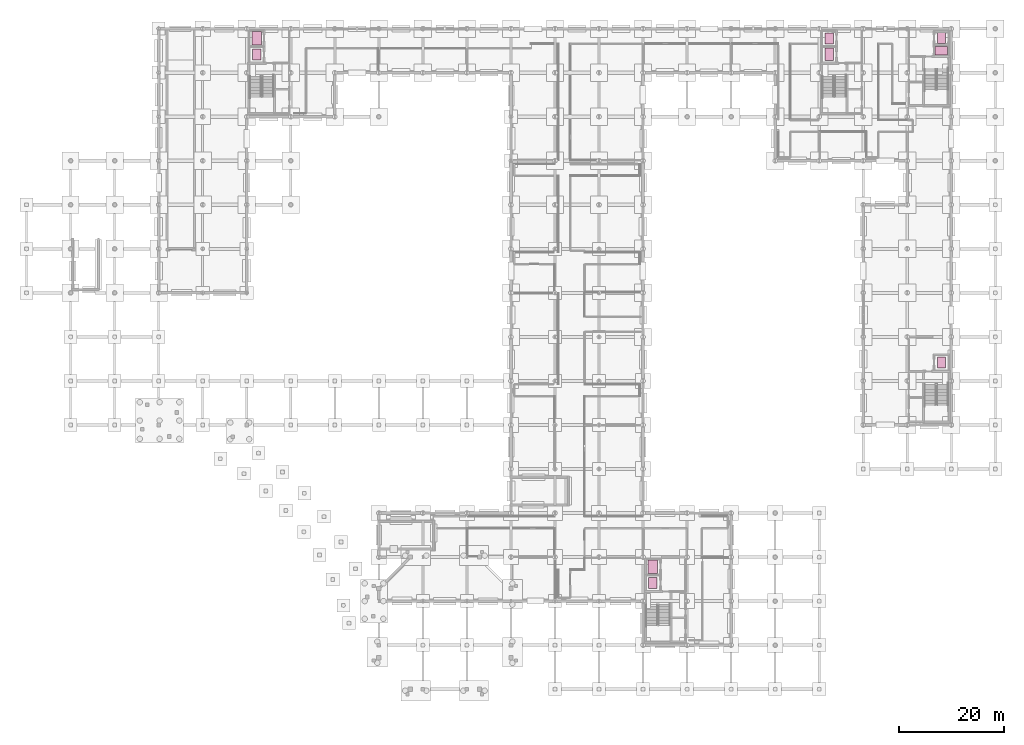
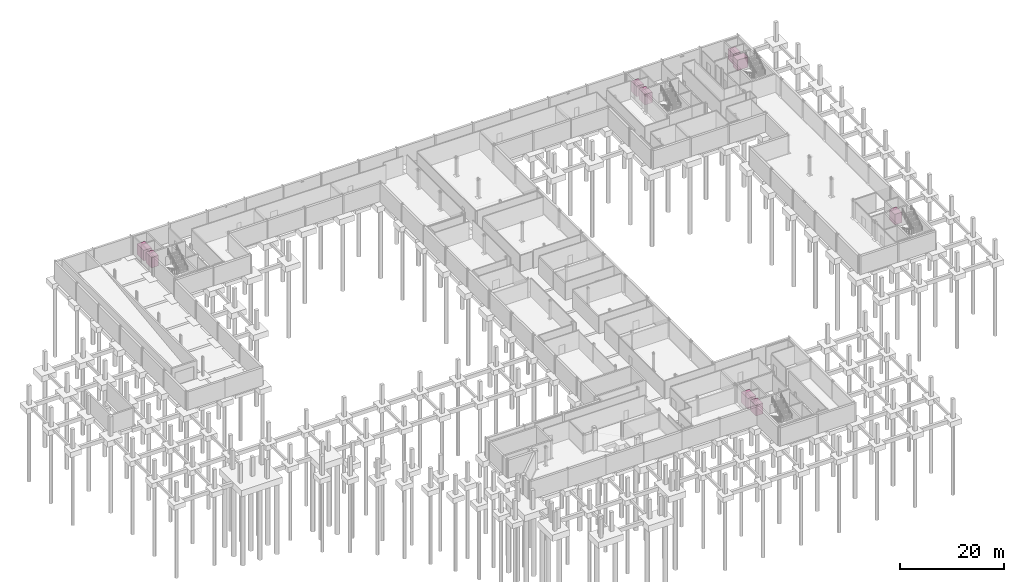
# One storey, part 43 of 43: 9 transport elements.
"""IFC4 building model written with IfcOpenShell, lengths in metres."""

from ifc_helpers import new_model, si_unit, direction, frame, origin, origin_2d, place, context, subcontext, project, spatial, rectangle, extrude, material, type_object, element, save


model = new_model("IFC4")

# Units and contexts
model_context = context("Model", 3, precision=1e-05, world=origin(), true_north=direction((0.0, 1.0)))
body_context = subcontext(model_context, "Body", "Model", "MODEL_VIEW")
ifc_project = project(units=[si_unit("LENGTHUNIT", "METRE"), si_unit("AREAUNIT", "SQUARE_METRE"), si_unit("VOLUMEUNIT", "CUBIC_METRE"), si_unit("PLANEANGLEUNIT", "RADIAN"), si_unit("MASSUNIT", "GRAM", prefix="KILO")], contexts=[model_context])

# Site, building, storey
site_placement = place(None, origin())
site = spatial("IfcSite", under=ifc_project, at=site_placement, CompositionType="ELEMENT")
building_placement = place(site_placement, origin())
building = spatial("IfcBuilding", under=site, at=building_placement, Name="Mersafa Astral City Hall", CompositionType="ELEMENT")
storey_placement = place(building_placement, frame((0.0, 0.0, -4.5)))
storey = spatial("IfcBuildingStorey", under=building, at=storey_placement, Name="B1", CompositionType="ELEMENT", Elevation=-4.5)

# Transport elements
ifc_material_1 = material(Name="Brushed stainless steel firefighting elevator cab", Category="steel")
transport_element_type_1 = type_object("IfcTransportElementType", Name="INT-LIFT-FF-1600X2400", PredefinedType="ELEVATOR", material=ifc_material_1)
transport_element_1_placement = place(storey_placement, frame((153.080078125, 121.10009765625, 0.0), z_axis=(0.0, 0.0, 1.0), x_axis=(1.0, 0.0, 0.0)))
element("IfcTransportElement", 1, at=transport_element_1_placement, inside=storey, type_object=transport_element_type_1, Name="Elevator LF1", PredefinedType="ELEVATOR", context=body_context, shape_type="SweptSolid", body=[
    extrude(rectangle(XDim=1.60009765625, YDim=2.39990234375, at=origin_2d()), origin(), (0.0, 0.0, 1.0), 2.449951171875),
])
transport_element_2_placement = place(storey_placement, frame((174.52001953125, 121.77001953125, 0.0), z_axis=(0.0, 0.0, 1.0), x_axis=(1.0, 0.0, 0.0)))
element("IfcTransportElement", 2, at=transport_element_2_placement, inside=storey, type_object=transport_element_type_1, Name="Elevator LF2", PredefinedType="ELEVATOR", context=body_context, shape_type="SweptSolid", body=[
    extrude(rectangle(XDim=2.39990234375, YDim=1.60009765625, at=origin_2d()), origin(), (0.0, 0.0, 1.0), 2.449951171875),
])
ifc_material_2 = material(Name="Heavy-duty stainless steel goods elevator cab", Category="steel")
transport_element_type_2 = type_object("IfcTransportElementType", Name="INT-LIFT-GOODS-1800X2600", PredefinedType="ELEVATOR", material=ifc_material_2)
for number, where, z_axis, x_axis, name in (
    (3, (43.8798828125, 124.14990234375, 0.0), (0.0, 0.0, 1.0), (1.0, 0.0, 0.0), "Elevator LF9"),
    (4, (119.47998046875, 23.35009765625, 0.0), (0.0, 0.0, 1.0), (1.0, 0.0, 0.0), "Elevator LF10"),
):
    element("IfcTransportElement", number, at=place(storey_placement, frame(where, z_axis=z_axis, x_axis=x_axis)), inside=storey, type_object=transport_element_type_2, Name=name, PredefinedType="ELEVATOR", context=body_context, shape_type="SweptSolid", body=[
        extrude(rectangle(XDim=1.800048828125, YDim=2.60009765625, at=origin_2d()), origin(), (0.0, 0.0, 1.0), 2.449951171875),
    ])
ifc_material_3 = material(Name="Brushed bronze & oak passenger elevator cab", Category="metal")
transport_element_type_3 = type_object("IfcTransportElementType", Name="INT-LIFT-PAX-1600X2100", PredefinedType="ELEVATOR", material=ifc_material_3)
for number, where, z_axis, x_axis, name in (
    (5, (153.080078125, 124.14990234375, 0.0), (0.0, 0.0, 1.0), (1.0, 0.0, 0.0), "Elevator LF3"),
    (6, (174.52001953125, 124.169921875, 0.0), (0.0, 0.0, 1.0), (1.0, 0.0, 0.0), "Elevator LF4"),
    (7, (43.8798828125, 121.10009765625, 0.0), (0.0, 0.0, 1.0), (1.0, 0.0, 0.0), "Elevator LF5"),
    (8, (174.52001953125, 62.300048828125, 0.0), (0.0, 0.0, 1.0), (1.0, 0.0, 0.0), "Elevator LF6"),
    (9, (119.47998046875, 20.300048828125, 0.0), (0.0, 0.0, 1.0), (1.0, 0.0, 0.0), "Elevator LF7"),
):
    element("IfcTransportElement", number, at=place(storey_placement, frame(where, z_axis=z_axis, x_axis=x_axis)), inside=storey, type_object=transport_element_type_3, Name=name, PredefinedType="ELEVATOR", context=body_context, shape_type="SweptSolid", body=[
        extrude(rectangle(XDim=1.60009765625, YDim=2.10009765625, at=origin_2d()), origin(), (0.0, 0.0, 1.0), 2.449951171875),
    ])

save(model, "model.ifc")
